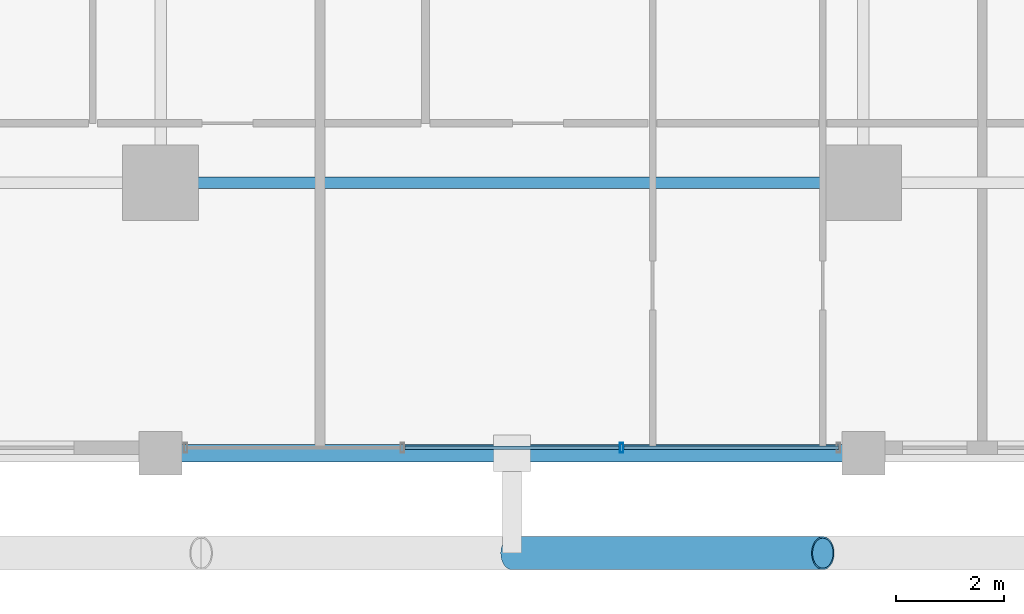
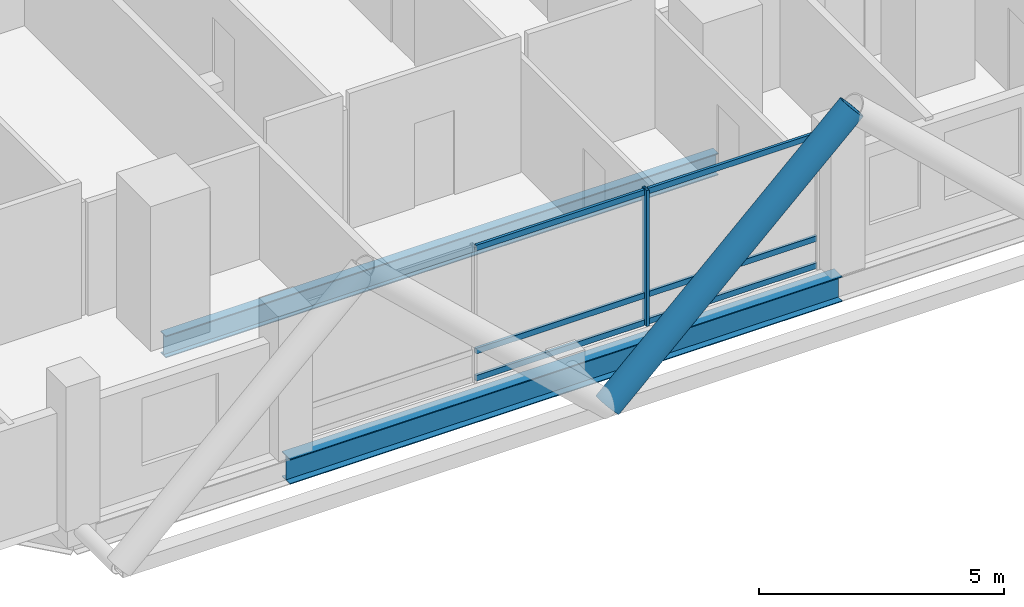
# One storey, part 3 of 28: 8 members, 2 beams, 1 element without a shape of its own.
"""IFC4 building model written with IfcOpenShell, lengths in metres."""

from ifc_helpers import new_model, si_unit, direction, frame, origin, origin_2d, place, context, subcontext, project, spatial, hollow_rectangle, hollow_circle, i_section, extrude, material, layer, layer_set, material_profile, profile_set, type_object, element, aggregate, save


model = new_model("IFC4")

# Units and contexts
model_context = context("Model", 3, precision=1e-05, world=origin(), true_north=direction((0.0, 1.0)))
body_context = subcontext(model_context, "Body", "Model", "MODEL_VIEW")
ifc_project = project(units=[si_unit("LENGTHUNIT", "METRE"), si_unit("AREAUNIT", "SQUARE_METRE"), si_unit("VOLUMEUNIT", "CUBIC_METRE"), si_unit("PLANEANGLEUNIT", "RADIAN"), si_unit("MASSUNIT", "GRAM", prefix="KILO")], contexts=[model_context])

# Site, building, storey
site_placement = place(None, origin())
site = spatial("IfcSite", under=ifc_project, at=site_placement, CompositionType="ELEMENT")
building_placement = place(site_placement, origin())
building = spatial("IfcBuilding", under=site, at=building_placement, Name="Barlavira Tower and Art Museum", CompositionType="ELEMENT")
storey_placement = place(building_placement, frame((0.0, 0.0, 39.60009765625)))
storey = spatial("IfcBuildingStorey", under=building, at=storey_placement, Name="L08", CompositionType="ELEMENT", Elevation=39.60009765625)

# Curtain wall, members
ifc_material_1 = material(Name="Low-iron coastal laminated glass", Category="glass")
ifc_layer = layer(ifc_material_1, 0.179931640625, Name="Low-iron coastal laminated glass")
ifc_layer_set = layer_set([ifc_layer], Name="Low-iron coastal laminated glass")
curtain_wall_type = type_object("IfcCurtainWallType", Name="Pale-Metal Unitised Curtain Wall Zone 1", PredefinedType="NOTDEFINED", material=ifc_layer_set)
curtain_wall_placement = place(storey_placement, origin())
curtain_wall = element("IfcCurtainWall", 1, at=curtain_wall_placement, inside=storey, type_object=curtain_wall_type, Name="L08 Curtain Wall CW1-L08-S-B3", PredefinedType="NOTDEFINED")
ifc_material_2 = material(Name="Pale anodised aluminium", Category="aluminium")
ifc_material_profile_1 = material_profile(ifc_material_2, hollow_rectangle(XDim=0.06494140625, YDim=0.179931640625, WallThickness=0.00390625, at=origin_2d()), Name="ALU-MULL 65x180x4")
ifc_profile_set_1 = profile_set([ifc_material_profile_1], Name="Pale anodised aluminium")
member_type_1 = type_object("IfcMemberType", Name="Curtain Wall Pale-Metal Mullion 65x180", PredefinedType="MULLION", material=ifc_profile_set_1)
member_1_placement = place(storey_placement, frame((2.026611328125, -24.89990234375, 0.0), z_axis=(0.0, 0.0, 1.0), x_axis=(1.0, 0.0, 0.0)))
member_1 = element("IfcMember", 2, at=member_1_placement, type_object=member_type_1, Name="CW1-L08-S-B3 Mullion 2", PredefinedType="MULLION", context=body_context, shape_type="SweptSolid", body=[
    extrude(hollow_rectangle(XDim=0.06494140625, YDim=0.179931640625, WallThickness=0.00390625, at=origin_2d()), origin(), (0.0, 0.0, 1.0), 3.3798828125),
])
ifc_material_profile_2 = material_profile(ifc_material_2, hollow_rectangle(XDim=0.06494140625, YDim=0.139892578125, WallThickness=0.00390625, at=origin_2d()), Name="ALU-TRAN 65x140x4")
ifc_profile_set_2 = profile_set([ifc_material_profile_2], Name="Pale anodised aluminium")
member_type_2 = type_object("IfcMemberType", Name="Curtain Wall Pale-Metal Transom 65x140", PredefinedType="USERDEFINED", material=ifc_profile_set_2)
member_2_placement = place(storey_placement, frame((-1.981689453125, -24.89990234375, 0.06982421875), z_axis=(1.0, 0.0, 0.0), x_axis=(0.0, 1.0, 0.0)))
member_2 = element("IfcMember", 3, at=member_2_placement, type_object=member_type_2, Name="CW1-L08-S-B3 Transom 1.1", ObjectType="TRANSOM", PredefinedType="USERDEFINED", context=body_context, shape_type="SweptSolid", body=[
    extrude(hollow_rectangle(XDim=0.06494140625, YDim=0.139892578125, WallThickness=0.00390625, at=origin_2d()), origin(), (0.0, 0.0, 1.0), 3.96337890625),
])
member_3_placement = place(storey_placement, frame((-1.981689453125, -24.89990234375, 0.743896484375), z_axis=(1.0, 0.0, 0.0), x_axis=(0.0, 1.0, 0.0)))
member_3 = element("IfcMember", 4, at=member_3_placement, type_object=member_type_2, Name="CW1-L08-S-B3 Transom 1.2", ObjectType="TRANSOM", PredefinedType="USERDEFINED", context=body_context, shape_type="SweptSolid", body=[
    extrude(hollow_rectangle(XDim=0.06494140625, YDim=0.139892578125, WallThickness=0.00390625, at=origin_2d()), origin(), (0.0, 0.0, 1.0), 3.96337890625),
])
member_4_placement = place(storey_placement, frame((-1.981689453125, -24.89990234375, 3.309814453125), z_axis=(1.0, 0.0, 0.0), x_axis=(0.0, 1.0, 0.0)))
member_4 = element("IfcMember", 5, at=member_4_placement, type_object=member_type_2, Name="CW1-L08-S-B3 Transom 1.3", ObjectType="TRANSOM", PredefinedType="USERDEFINED", context=body_context, shape_type="SweptSolid", body=[
    extrude(hollow_rectangle(XDim=0.06494140625, YDim=0.139892578125, WallThickness=0.00390625, at=origin_2d()), origin(), (0.0, 0.0, 1.0), 3.96337890625),
])
member_5_placement = place(storey_placement, frame((2.07177734375, -24.89990234375, 0.06982421875), z_axis=(1.0, 0.0, 0.0), x_axis=(0.0, 1.0, 0.0)))
member_5 = element("IfcMember", 6, at=member_5_placement, type_object=member_type_2, Name="CW1-L08-S-B3 Transom 2.1", ObjectType="TRANSOM", PredefinedType="USERDEFINED", context=body_context, shape_type="SweptSolid", body=[
    extrude(hollow_rectangle(XDim=0.06494140625, YDim=0.139892578125, WallThickness=0.00390625, at=origin_2d()), origin(), (0.0, 0.0, 1.0), 3.963134765625),
])
member_6_placement = place(storey_placement, frame((2.07177734375, -24.89990234375, 0.743896484375), z_axis=(1.0, 0.0, 0.0), x_axis=(0.0, 1.0, 0.0)))
member_6 = element("IfcMember", 7, at=member_6_placement, type_object=member_type_2, Name="CW1-L08-S-B3 Transom 2.2", ObjectType="TRANSOM", PredefinedType="USERDEFINED", context=body_context, shape_type="SweptSolid", body=[
    extrude(hollow_rectangle(XDim=0.06494140625, YDim=0.139892578125, WallThickness=0.00390625, at=origin_2d()), origin(), (0.0, 0.0, 1.0), 3.963134765625),
])
member_7_placement = place(storey_placement, frame((2.07177734375, -24.89990234375, 3.309814453125), z_axis=(1.0, 0.0, 0.0), x_axis=(0.0, 1.0, 0.0)))
member_7 = element("IfcMember", 8, at=member_7_placement, type_object=member_type_2, Name="CW1-L08-S-B3 Transom 2.3", ObjectType="TRANSOM", PredefinedType="USERDEFINED", context=body_context, shape_type="SweptSolid", body=[
    extrude(hollow_rectangle(XDim=0.06494140625, YDim=0.139892578125, WallThickness=0.00390625, at=origin_2d()), origin(), (0.0, 0.0, 1.0), 3.963134765625),
])
aggregate(curtain_wall, [member_1, member_2, member_3, member_4, member_5, member_6, member_7])

# Member
ifc_material_3 = material(Name="Steel S355", Category="steel")
ifc_material_profile_3 = material_profile(ifc_material_3, hollow_circle(Radius=0.304931640625, WallThickness=0.028076171875, at=origin_2d()), Name="CHS 610.0x28.0")
ifc_profile_set_3 = profile_set([ifc_material_profile_3], Name="Steel S355")
member_type_3 = type_object("IfcMemberType", Name="Pale-Metal Exoskeleton Diagrid Tube CHS 610x28 Steel S355", PredefinedType="BRACE", material=ifc_profile_set_3)
member_8_placement = place(storey_placement, frame((0.0, -26.85009765625, -0.1201171875), z_axis=(0.728950095515, 0.0, 0.684566839869), x_axis=(0.0, 1.0, 0.0)))
element("IfcMember", 9, at=member_8_placement, inside=storey, type_object=member_type_3, Name="L08 Exoskeleton Diagrid Tube S", PredefinedType="BRACE", context=body_context, shape_type="SweptSolid", body=[
    extrude(hollow_circle(Radius=0.304931640625, WallThickness=0.028076171875, at=origin_2d()), origin(), (0.0, 0.0, 1.0), 7.887939453125),
])

# Beams
ifc_material_profile_4 = material_profile(ifc_material_3, i_section(OverallWidth=0.327880859375, OverallDepth=0.62890625, WebThickness=0.013916015625, FlangeThickness=0.021484375, at=origin_2d()), Name="W610x174.0")
ifc_profile_set_4 = profile_set([ifc_material_profile_4], Name="Steel S355")
beam_type_1 = type_object("IfcBeamType", Name="Perimeter Spandrel Edge Beam W610x174 Steel S355", PredefinedType="SPANDREL", material=ifc_profile_set_4)
beam_1_placement = place(storey_placement, frame((-6.5, -25.0, -0.53466796875), z_axis=(1.0, 0.0, 0.0), x_axis=(0.0, 1.0, 0.0)))
element("IfcBeam", 10, at=beam_1_placement, inside=storey, type_object=beam_type_1, Name="L08 Spandrel 2", PredefinedType="SPANDREL", context=body_context, shape_type="SweptSolid", body=[
    extrude(i_section(OverallWidth=0.327880859375, OverallDepth=0.62890625, WebThickness=0.013916015625, FlangeThickness=0.021484375, at=origin_2d()), origin(), (0.0, 0.0, 1.0), 13.0),
])
ifc_material_profile_5 = material_profile(ifc_material_3, i_section(OverallWidth=0.214111328125, OverallDepth=0.549072265625, WebThickness=0.0146484375, FlangeThickness=0.023681640625, at=origin_2d()), Name="W530x138.0")
ifc_profile_set_5 = profile_set([ifc_material_profile_5], Name="Steel S355")
beam_type_2 = type_object("IfcBeamType", Name="Zone 1 Primary Floor Girder W530x138 Steel S355", PredefinedType="BEAM", material=ifc_profile_set_5)
beam_2_placement = place(storey_placement, frame((-6.5, -20.0, -0.49462890625), z_axis=(1.0, 0.0, 0.0), x_axis=(0.0, 1.0, 0.0)))
element("IfcBeam", 11, at=beam_2_placement, inside=storey, type_object=beam_type_2, Name="L08 Girder M-S2", PredefinedType="BEAM", context=body_context, shape_type="SweptSolid", body=[
    extrude(i_section(OverallWidth=0.214111328125, OverallDepth=0.549072265625, WebThickness=0.0146484375, FlangeThickness=0.023681640625, at=origin_2d()), origin(), (0.0, 0.0, 1.0), 13.0),
])

save(model, "model.ifc")
